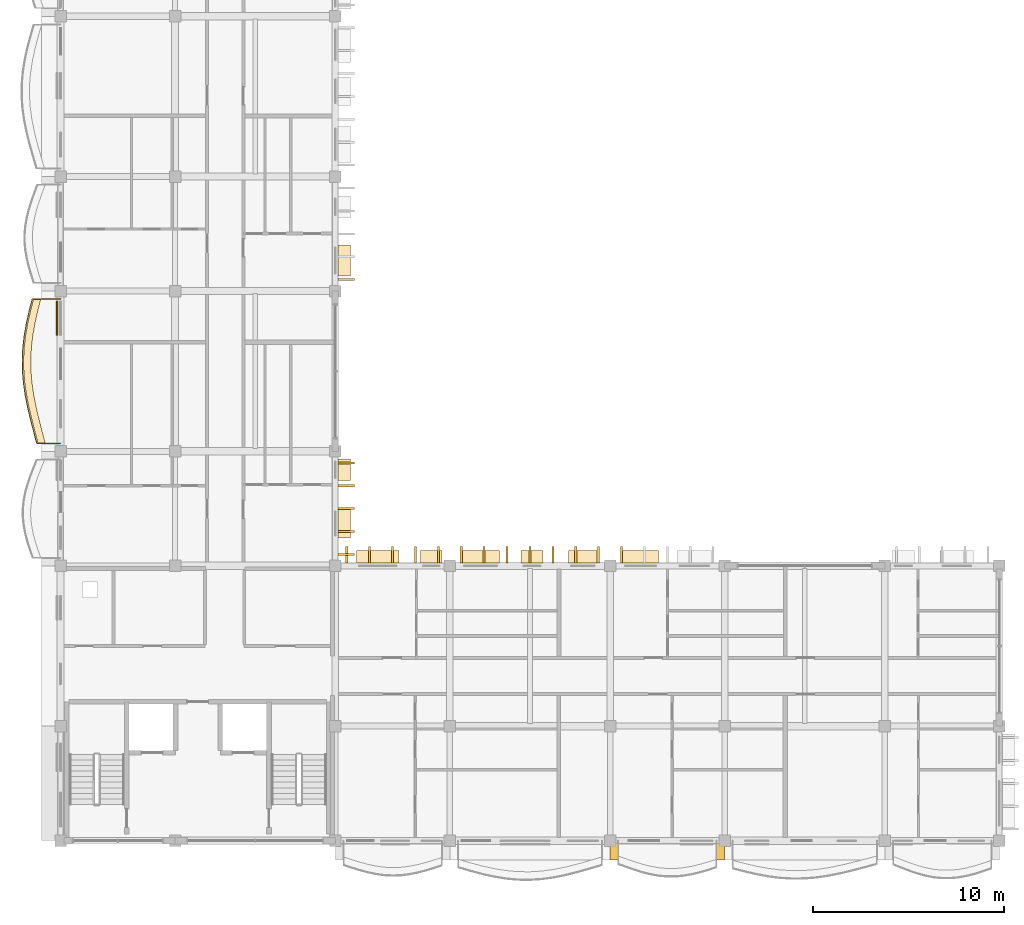
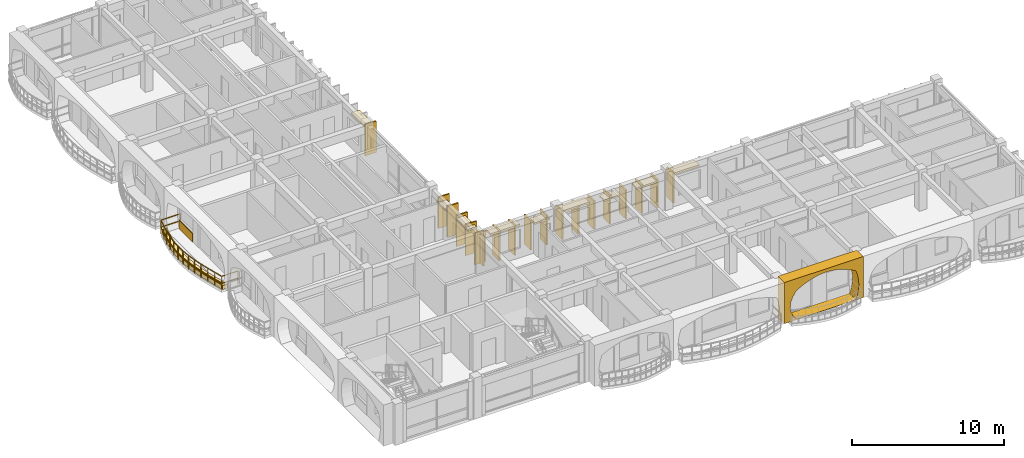
# One storey, part 53 of 79: 31 coverings, 1 railing.
"""IFC4 building model written with IfcOpenShell, lengths in metres."""

from ifc_helpers import new_model, si_unit, direction, frame, origin, origin_2d, place, context, subcontext, project, spatial, polyline, rectangle, outline, extrude, material, layer, layer_set, type_object, element, save


model = new_model("IFC4")

# Units and contexts
model_context = context("Model", 3, precision=1e-05, world=origin(), true_north=direction((0.0, 1.0)))
body_context = subcontext(model_context, "Body", "Model", "MODEL_VIEW")
ifc_project = project(units=[si_unit("LENGTHUNIT", "METRE"), si_unit("AREAUNIT", "SQUARE_METRE"), si_unit("VOLUMEUNIT", "CUBIC_METRE"), si_unit("PLANEANGLEUNIT", "RADIAN"), si_unit("MASSUNIT", "GRAM", prefix="KILO"), si_unit("THERMODYNAMICTEMPERATUREUNIT", "KELVIN")], contexts=[model_context])

# Site, building, storey
site_placement = place(None, origin())
site = spatial("IfcSite", under=ifc_project, at=site_placement, CompositionType="ELEMENT")
building_placement = place(site_placement, origin())
building = spatial("IfcBuilding", under=site, at=building_placement, Name="Thalorik Housing Commons", CompositionType="ELEMENT")
storey_placement = place(building_placement, frame((0.0, 0.0, 11.39990234375)))
storey = spatial("IfcBuildingStorey", under=building, at=storey_placement, Name="L03", CompositionType="ELEMENT", Elevation=11.39990234375)

# Coverings
ifc_material_1 = material(Name="Precast concrete C40/50", Category="concrete")
ifc_layer_1 = layer(ifc_material_1, 0.85009765625, Name="Precast concrete C40/50", Category="concrete")
ifc_layer_set_1 = layer_set([ifc_layer_1], Name="Precast concrete C40/50")
covering_type_1 = type_object("IfcCoveringType", Name="ARC-CLD-CUSH-850", PredefinedType="CLADDING", material=ifc_layer_set_1)
covering_1_placement = place(storey_placement, frame((40.199951171875, 7.822509765625, 0.0), z_axis=(0.0, 0.0, 1.0), x_axis=(1.0, 0.0, 0.0)))
element("IfcCovering", 1, at=covering_1_placement, inside=storey, type_object=covering_type_1, Name="L03 White Precast Curved Cushion Bay Frame 3730", PredefinedType="CLADDING", context=body_context, shape_type="SweptSolid", body=[
    extrude(outline(polyline([(-3.0, 0.0), (3.0, 0.0), (3.0, 3.300048828125), (-3.0, 3.300048828125), (-3.0, 0.0)]), holes=[polyline([(2.43994140625, 0.02490234375), (2.55810546875, 0.410888671875), (2.629150390625, 0.796630859375), (2.65283203125, 1.1826171875), (2.629150390625, 1.568359375), (2.55810546875, 1.9541015625), (2.43994140625, 2.340087890625), (2.063232421875, 2.552978515625), (1.686767578125, 2.720458984375), (1.31005859375, 2.85595703125), (0.933349609375, 2.956787109375), (0.556640625, 3.01904296875), (0.179931640625, 3.0400390625), (-0.19677734375, 3.01904296875), (-0.5732421875, 2.956787109375), (-0.949951171875, 2.85595703125), (-1.32666015625, 2.720458984375), (-1.703369140625, 2.552978515625), (-2.080078125, 2.340087890625), (-2.341064453125, 1.9541015625), (-2.497802734375, 1.568359375), (-2.550048828125, 1.1826171875), (-2.497802734375, 0.796630859375), (-2.341064453125, 0.410888671875), (-2.080078125, 0.02490234375), (2.43994140625, 0.02490234375)])]), frame((0.0, 0.425048828125, 0.0), z_axis=(0.0, -1.0, 0.0), x_axis=(1.0, 0.0, 0.0)), (0.0, 0.0, 1.0), 0.85009765625),
])
ifc_layer_2 = layer(ifc_material_1, 0.85009765625, Name="Precast concrete C40/50", Category="concrete")
ifc_layer_set_2 = layer_set([ifc_layer_2], Name="Precast concrete C40/50")
covering_type_2 = type_object("IfcCoveringType", Name="ARC-CLD-FIN-850", PredefinedType="CLADDING", material=ifc_layer_set_2)
for number, where, z_axis, x_axis, name in (
    (2, (23.37744140625, 23.39990234375, 0.0400390625), (0.0, 0.0, 1.0), (0.0, 1.0, 0.0), "L03 Courtyard Precast Vertical Brise-Soleil Fin 3671"),
    (3, (23.37744140625, 24.60009765625, 0.0400390625), (0.0, 0.0, 1.0), (0.0, 1.0, 0.0), "L03 Courtyard Precast Vertical Brise-Soleil Fin 3672"),
    (4, (23.37744140625, 25.800048828125, 0.0400390625), (0.0, 0.0, 1.0), (0.0, 1.0, 0.0), "L03 Courtyard Precast Vertical Brise-Soleil Fin 3673"),
    (5, (23.37744140625, 27.0, 0.0400390625), (0.0, 0.0, 1.0), (0.0, 1.0, 0.0), "L03 Courtyard Precast Vertical Brise-Soleil Fin 3674"),
    (6, (23.37744140625, 28.199951171875, 0.0400390625), (0.0, 0.0, 1.0), (0.0, 1.0, 0.0), "L03 Courtyard Precast Vertical Brise-Soleil Fin 3675"),
    (7, (23.37744140625, 37.800048828125, 0.0400390625), (0.0, 0.0, 1.0), (0.0, 1.0, 0.0), "L03 Courtyard Precast Vertical Brise-Soleil Fin 3678"),
):
    element("IfcCovering", number, at=place(storey_placement, frame(where, z_axis=z_axis, x_axis=x_axis)), inside=storey, type_object=covering_type_2, Name=name, PredefinedType="CLADDING", context=body_context, shape_type="SweptSolid", body=[
        extrude(rectangle(XDim=0.110107421875, YDim=0.85009765625, at=origin_2d()), origin(), (0.0, 0.0, 1.0), 2.4951171875),
    ])
covering_2_placement = place(storey_placement, frame((37.800048828125, 23.37744140625, 0.0400390625), z_axis=(0.0, 0.0, 1.0), x_axis=(-1.0, 0.0, 0.0)))
element("IfcCovering", 8, at=covering_2_placement, inside=storey, type_object=covering_type_2, Name="L03 Courtyard Precast Vertical Brise-Soleil Fin 3754", PredefinedType="CLADDING", context=body_context, shape_type="SweptSolid", body=[
    extrude(rectangle(XDim=0.110107421875, YDim=0.85009765625, at=origin_2d()), origin(), (0.0, 0.0, 1.0), 2.39501953125),
])
for number, where, z_axis, x_axis, name in (
    (9, (36.60009765625, 23.37744140625, 0.0400390625), (0.0, 0.0, 1.0), (-1.0, 0.0, 0.0), "L03 Courtyard Precast Vertical Brise-Soleil Fin 3757"),
    (10, (35.39990234375, 23.37744140625, 0.0400390625), (0.0, 0.0, 1.0), (-1.0, 0.0, 0.0), "L03 Courtyard Precast Vertical Brise-Soleil Fin 3758"),
    (11, (34.199951171875, 23.37744140625, 0.0400390625), (0.0, 0.0, 1.0), (-1.0, 0.0, 0.0), "L03 Courtyard Precast Vertical Brise-Soleil Fin 3759"),
    (12, (33.0, 23.37744140625, 0.0400390625), (0.0, 0.0, 1.0), (-1.0, 0.0, 0.0), "L03 Courtyard Precast Vertical Brise-Soleil Fin 3760"),
    (13, (31.800048828125, 23.37744140625, 0.0400390625), (0.0, 0.0, 1.0), (-1.0, 0.0, 0.0), "L03 Courtyard Precast Vertical Brise-Soleil Fin 3761"),
    (14, (30.60009765625, 23.37744140625, 0.0400390625), (0.0, 0.0, 1.0), (-1.0, 0.0, 0.0), "L03 Courtyard Precast Vertical Brise-Soleil Fin 3762"),
    (15, (29.39990234375, 23.37744140625, 0.0400390625), (0.0, 0.0, 1.0), (-1.0, 0.0, 0.0), "L03 Courtyard Precast Vertical Brise-Soleil Fin 3763"),
):
    element("IfcCovering", number, at=place(storey_placement, frame(where, z_axis=z_axis, x_axis=x_axis)), inside=storey, type_object=covering_type_2, Name=name, PredefinedType="CLADDING", context=body_context, shape_type="SweptSolid", body=[
        extrude(rectangle(XDim=0.110107421875, YDim=0.85009765625, at=origin_2d()), origin(), (0.0, 0.0, 1.0), 2.294921875),
    ])
for number, where, z_axis, x_axis, name in (
    (16, (28.199951171875, 23.37744140625, 0.0400390625), (0.0, 0.0, 1.0), (-1.0, 0.0, 0.0), "L03 Courtyard Precast Vertical Brise-Soleil Fin 3767"),
    (17, (27.0, 23.37744140625, 0.0400390625), (0.0, 0.0, 1.0), (-1.0, 0.0, 0.0), "L03 Courtyard Precast Vertical Brise-Soleil Fin 3768"),
    (18, (25.800048828125, 23.37744140625, 0.0400390625), (0.0, 0.0, 1.0), (-1.0, 0.0, 0.0), "L03 Courtyard Precast Vertical Brise-Soleil Fin 3769"),
    (19, (24.60009765625, 23.37744140625, 0.0400390625), (0.0, 0.0, 1.0), (-1.0, 0.0, 0.0), "L03 Courtyard Precast Vertical Brise-Soleil Fin 3770"),
    (20, (23.39990234375, 23.37744140625, 0.0400390625), (0.0, 0.0, 1.0), (-1.0, 0.0, 0.0), "L03 Courtyard Precast Vertical Brise-Soleil Fin 3771"),
):
    element("IfcCovering", number, at=place(storey_placement, frame(where, z_axis=z_axis, x_axis=x_axis)), inside=storey, type_object=covering_type_2, Name=name, PredefinedType="CLADDING", context=body_context, shape_type="SweptSolid", body=[
        extrude(rectangle(XDim=0.110107421875, YDim=0.85009765625, at=origin_2d()), origin(), (0.0, 0.0, 1.0), 2.39501953125),
    ])
ifc_layer_3 = layer(ifc_material_1, 0.64990234375, Name="Precast concrete C40/50", Category="concrete")
ifc_layer_set_3 = layer_set([ifc_layer_3], Name="Precast concrete C40/50")
covering_type_3 = type_object("IfcCoveringType", Name="ARC-CLD-HOOD-650", PredefinedType="CLADDING", material=ifc_layer_set_3)
covering_3_placement = place(storey_placement, frame((23.277587890625, 25.021484375, 2.18994140625), z_axis=(0.0, 0.0, 1.0), x_axis=(0.0, 1.0, 0.0)))
element("IfcCovering", 21, at=covering_3_placement, inside=storey, type_object=covering_type_3, Name="L03 Courtyard Precast Window Sun-Hood 3676", PredefinedType="CLADDING", context=body_context, shape_type="SweptSolid", body=[
    extrude(rectangle(XDim=1.5400390625, YDim=0.64990234375, at=origin_2d()), origin(), (0.0, 0.0, 1.0), 0.139892578125),
])
covering_4_placement = place(storey_placement, frame((23.277587890625, 27.831298828125, 1.990234375), z_axis=(0.0, 0.0, 1.0), x_axis=(0.0, 1.0, 0.0)))
element("IfcCovering", 22, at=covering_4_placement, inside=storey, type_object=covering_type_3, Name="L03 Courtyard Precast Window Sun-Hood 3677", PredefinedType="CLADDING", context=body_context, shape_type="SweptSolid", body=[
    extrude(rectangle(XDim=1.139892578125, YDim=0.64990234375, at=origin_2d()), origin(), (0.0, 0.0, 1.0), 0.139892578125),
])
covering_5_placement = place(storey_placement, frame((23.277587890625, 38.801513671875, 2.240234375), z_axis=(0.0, 0.0, 1.0), x_axis=(0.0, 1.0, 0.0)))
element("IfcCovering", 23, at=covering_5_placement, inside=storey, type_object=covering_type_3, Name="L03 Courtyard Precast Window Sun-Hood 3683", PredefinedType="CLADDING", context=body_context, shape_type="SweptSolid", body=[
    extrude(rectangle(XDim=1.639892578125, YDim=0.64990234375, at=origin_2d()), origin(), (0.0, 0.0, 1.0), 0.139892578125),
])
covering_6_placement = place(storey_placement, frame((38.801513671875, 23.277587890625, 2.2900390625), z_axis=(0.0, 0.0, 1.0), x_axis=(-1.0, 0.0, 0.0)))
element("IfcCovering", 24, at=covering_6_placement, inside=storey, type_object=covering_type_3, Name="L03 Courtyard Precast Window Sun-Hood 3756", PredefinedType="CLADDING", context=body_context, shape_type="SweptSolid", body=[
    extrude(rectangle(XDim=1.889892578125, YDim=0.64990234375, at=origin_2d()), origin(), (0.0, 0.0, 1.0), 0.139892578125),
])
covering_7_placement = place(storey_placement, frame((35.764892578125, 23.277587890625, 2.09033203125), z_axis=(0.0, 0.0, 1.0), x_axis=(-1.0, 0.0, 0.0)))
element("IfcCovering", 25, at=covering_7_placement, inside=storey, type_object=covering_type_3, Name="L03 Courtyard Precast Window Sun-Hood 3764", PredefinedType="CLADDING", context=body_context, shape_type="SweptSolid", body=[
    extrude(rectangle(XDim=1.489990234375, YDim=0.64990234375, at=origin_2d()), origin(), (0.0, 0.0, 1.0), 0.139892578125),
])
covering_8_placement = place(storey_placement, frame((33.1025390625, 23.277587890625, 1.990234375), z_axis=(0.0, 0.0, 1.0), x_axis=(-1.0, 0.0, 0.0)))
element("IfcCovering", 26, at=covering_8_placement, inside=storey, type_object=covering_type_3, Name="L03 Courtyard Precast Window Sun-Hood 3765", PredefinedType="CLADDING", context=body_context, shape_type="SweptSolid", body=[
    extrude(rectangle(XDim=1.139892578125, YDim=0.64990234375, at=origin_2d()), origin(), (0.0, 0.0, 1.0), 0.139892578125),
])
covering_9_placement = place(storey_placement, frame((30.407470703125, 23.277587890625, 2.22509765625), z_axis=(0.0, 0.0, 1.0), x_axis=(-1.0, 0.0, 0.0)))
element("IfcCovering", 27, at=covering_9_placement, inside=storey, type_object=covering_type_3, Name="L03 Courtyard Precast Window Sun-Hood 3766", PredefinedType="CLADDING", context=body_context, shape_type="SweptSolid", body=[
    extrude(rectangle(XDim=1.989990234375, YDim=0.64990234375, at=origin_2d()), origin(), (0.0, 0.0, 1.0), 0.139892578125),
])
covering_10_placement = place(storey_placement, frame((27.831298828125, 23.277587890625, 1.990234375), z_axis=(0.0, 0.0, 1.0), x_axis=(-1.0, 0.0, 0.0)))
element("IfcCovering", 28, at=covering_10_placement, inside=storey, type_object=covering_type_3, Name="L03 Courtyard Precast Window Sun-Hood 3772", PredefinedType="CLADDING", context=body_context, shape_type="SweptSolid", body=[
    extrude(rectangle(XDim=1.139892578125, YDim=0.64990234375, at=origin_2d()), origin(), (0.0, 0.0, 1.0), 0.139892578125),
])
covering_11_placement = place(storey_placement, frame((25.021484375, 23.277587890625, 2.2900390625), z_axis=(0.0, 0.0, 1.0), x_axis=(-1.0, 0.0, 0.0)))
element("IfcCovering", 29, at=covering_11_placement, inside=storey, type_object=covering_type_3, Name="L03 Courtyard Precast Window Sun-Hood 3773", PredefinedType="CLADDING", context=body_context, shape_type="SweptSolid", body=[
    extrude(rectangle(XDim=2.219970703125, YDim=0.64990234375, at=origin_2d()), origin(), (0.0, 0.0, 1.0), 0.139892578125),
])
ifc_material_2 = material(Name="Terracotta red mineral fibre-cement panel", Category="masonry")
ifc_layer_4 = layer(ifc_material_2, 0.054931640625, Name="Terracotta red mineral fibre-cement panel", Category="masonry")
ifc_layer_set_4 = layer_set([ifc_layer_4], Name="Terracotta red mineral fibre-cement panel")
covering_type_4 = type_object("IfcCoveringType", Name="ARC-CLD-RED-55", PredefinedType="CLADDING", material=ifc_layer_set_4)
covering_12_placement = place(storey_placement, frame((8.215087890625, 35.764892578125, 0.05029296875), z_axis=(0.0, 0.0, 1.0), x_axis=(0.0, -1.0, 0.0)))
element("IfcCovering", 30, at=covering_12_placement, inside=storey, type_object=covering_type_4, Name="L03 De Stijl Recessed Window Spandrel 3719", PredefinedType="CLADDING", context=body_context, shape_type="SweptSolid", body=[
    extrude(rectangle(XDim=1.780029296875, YDim=0.054931640625, at=origin_2d()), origin(), (0.0, 0.0, 1.0), 0.699951171875),
])
ifc_material_3 = material(Name="Planted vegetated substrate and terracotta trough", Category="masonry")
ifc_layer_5 = layer(ifc_material_3, 0.340087890625, Name="Planted vegetated substrate and terracotta trough", Category="masonry")
ifc_layer_set_5 = layer_set([ifc_layer_5], Name="Planted vegetated substrate and terracotta trough")
covering_type_5 = type_object("IfcCoveringType", Name="ARC-COV-PLANTER", PredefinedType="USERDEFINED", material=ifc_layer_set_5)
covering_13_placement = place(storey_placement, origin())
element("IfcCovering", 31, at=covering_13_placement, inside=storey, type_object=covering_type_5, Name="L03 Balcony Slab-Edge Planted Trough 5578", ObjectType="PLANTER", PredefinedType="USERDEFINED", context=body_context, shape_type="SweptSolid", body=[
    extrude(outline(polyline([(6.984619140625, 36.780029296875), (6.823974609375, 36.14990234375), (6.682861328125, 35.52001953125), (6.571044921875, 34.889892578125), (6.49609375, 34.260009765625), (6.462890625, 33.6298828125), (6.473388671875, 33.0), (6.52685546875, 32.3701171875), (6.619384765625, 31.739990234375), (6.744384765625, 31.110107421875), (6.89306640625, 30.47998046875), (7.055419921875, 29.85009765625), (7.2197265625, 29.219970703125), (7.599853515625, 29.219970703125), (7.435302734375, 29.85009765625), (7.273193359375, 30.47998046875), (7.124267578125, 31.110107421875), (6.99951171875, 31.739990234375), (6.906982421875, 32.3701171875), (6.853515625, 33.0), (6.843017578125, 33.6298828125), (6.876220703125, 34.260009765625), (6.951171875, 34.889892578125), (7.062744140625, 35.52001953125), (7.203857421875, 36.14990234375), (7.364501953125, 36.780029296875), (6.984619140625, 36.780029296875)])), origin(), (0.0, 0.0, 1.0), 0.340087890625),
])

# Railing
ifc_material_4 = material(Name="Steel S355", Category="steel")
railing_type = type_object("IfcRailingType", Name="ARC-RL-BAL-112", PredefinedType="BALUSTRADE", material=ifc_material_4)
railing_placement = place(storey_placement, frame((8.39990234375, 36.780029296875, 0.0)))
element("IfcRailing", 32, at=railing_placement, inside=storey, type_object=railing_type, Name="L03 Cushion Balcony Guardrail 262", PredefinedType="BALUSTRADE", context=body_context, shape_type="SweptSolid", body=[
    extrude(rectangle(XDim=0.050048828125, YDim=0.050048828125, at=origin_2d()), frame((0.0, 0.0, 1.09521484375), z_axis=(-1.0, 0.0, 0.0), x_axis=(0.0, -1.0, 0.0)), (0.0, 0.0, 1.0), 1.4853515625),
    extrude(rectangle(XDim=0.050048828125, YDim=0.050048828125, at=origin_2d()), frame((0.0, 0.0, 0.53515625), z_axis=(-1.0, 0.0, 0.0), x_axis=(0.0, -1.0, 0.0)), (0.0, 0.0, 1.0), 1.4853515625),
    extrude(rectangle(XDim=0.050048828125, YDim=0.050048828125, at=origin_2d()), frame((-1.4853515625, 0.0, 1.09521484375), z_axis=(-0.247038266917, -0.969005724791, 0.0), x_axis=(0.969005724791, -0.247038266917, 0.0)), (0.0, 0.0, 1.0), 0.650390625),
    extrude(rectangle(XDim=0.050048828125, YDim=0.050048828125, at=origin_2d()), frame((-1.4853515625, 0.0, 0.53515625), z_axis=(-0.247038266917, -0.969005724791, 0.0), x_axis=(0.969005724791, -0.247038266917, 0.0)), (0.0, 0.0, 1.0), 0.650390625),
    extrude(rectangle(XDim=0.050048828125, YDim=0.050048828125, at=origin_2d()), frame((-1.64599609375, -0.630126953125, 1.09521484375), z_axis=(-0.218612109708, -0.975811839183, 0.0), x_axis=(0.975811839183, -0.218612109708, 0.0)), (0.0, 0.0, 1.0), 0.6455078125),
    extrude(rectangle(XDim=0.050048828125, YDim=0.050048828125, at=origin_2d()), frame((-1.64599609375, -0.630126953125, 0.53515625), z_axis=(-0.218612109708, -0.975811839183, 0.0), x_axis=(0.975811839183, -0.218612109708, 0.0)), (0.0, 0.0, 1.0), 0.6455078125),
    extrude(rectangle(XDim=0.050048828125, YDim=0.050048828125, at=origin_2d()), frame((-1.787109375, -1.260009765625, 1.09521484375), z_axis=(-0.174351172623, -0.984683537287, 0.0), x_axis=(0.984683537287, -0.174351172623, 0.0)), (0.0, 0.0, 1.0), 0.639892578125),
    extrude(rectangle(XDim=0.050048828125, YDim=0.050048828125, at=origin_2d()), frame((-1.787109375, -1.260009765625, 0.53515625), z_axis=(-0.174351172623, -0.984683537287, 0.0), x_axis=(0.984683537287, -0.174351172623, 0.0)), (0.0, 0.0, 1.0), 0.639892578125),
    extrude(rectangle(XDim=0.050048828125, YDim=0.050048828125, at=origin_2d()), frame((-1.898681640625, -1.89013671875, 1.09521484375), z_axis=(-0.118538157109, -0.992949497864, 0.0), x_axis=(0.992949497864, -0.118538157109, 0.0)), (0.0, 0.0, 1.0), 0.63427734375),
    extrude(rectangle(XDim=0.050048828125, YDim=0.050048828125, at=origin_2d()), frame((-1.898681640625, -1.89013671875, 0.53515625), z_axis=(-0.118538157109, -0.992949497864, 0.0), x_axis=(0.992949497864, -0.118538157109, 0.0)), (0.0, 0.0, 1.0), 0.63427734375),
    extrude(rectangle(XDim=0.050048828125, YDim=0.050048828125, at=origin_2d()), frame((-1.973876953125, -2.52001953125, 1.09521484375), z_axis=(-0.052619755312, -0.998614621038, 0.0), x_axis=(0.998614621038, -0.052619755312, 0.0)), (0.0, 0.0, 1.0), 0.631103515625),
    extrude(rectangle(XDim=0.050048828125, YDim=0.050048828125, at=origin_2d()), frame((-1.973876953125, -2.52001953125, 0.53515625), z_axis=(-0.052619755312, -0.998614621038, 0.0), x_axis=(0.998614621038, -0.052619755312, 0.0)), (0.0, 0.0, 1.0), 0.631103515625),
    extrude(rectangle(XDim=0.050048828125, YDim=0.050048828125, at=origin_2d()), frame((-2.007080078125, -3.150146484375, 1.09521484375), z_axis=(0.017051784008, -0.999854607762, 0.0), x_axis=(0.999854607762, 0.017051784008, 0.0)), (0.0, 0.0, 1.0), 0.6298828125),
    extrude(rectangle(XDim=0.050048828125, YDim=0.050048828125, at=origin_2d()), frame((-2.007080078125, -3.150146484375, 0.53515625), z_axis=(0.017051784008, -0.999854607762, 0.0), x_axis=(0.999854607762, 0.017051784008, 0.0)), (0.0, 0.0, 1.0), 0.6298828125),
    extrude(rectangle(XDim=0.050048828125, YDim=0.050048828125, at=origin_2d()), frame((-1.996337890625, -3.780029296875, 1.09521484375), z_axis=(0.084196095588, -0.99644920467, 0.0), x_axis=(0.99644920467, 0.084196095588, 0.0)), (0.0, 0.0, 1.0), 0.632080078125),
    extrude(rectangle(XDim=0.050048828125, YDim=0.050048828125, at=origin_2d()), frame((-1.996337890625, -3.780029296875, 0.53515625), z_axis=(0.084196095588, -0.99644920467, 0.0), x_axis=(0.99644920467, 0.084196095588, 0.0)), (0.0, 0.0, 1.0), 0.632080078125),
    extrude(rectangle(XDim=0.050048828125, YDim=0.050048828125, at=origin_2d()), frame((-1.943115234375, -4.409912109375, 1.09521484375), z_axis=(0.145284304764, -0.989389948801, 0.0), x_axis=(0.989389948801, 0.145284304764, 0.0)), (0.0, 0.0, 1.0), 0.636962890625),
    extrude(rectangle(XDim=0.050048828125, YDim=0.050048828125, at=origin_2d()), frame((-1.943115234375, -4.409912109375, 0.53515625), z_axis=(0.145284304764, -0.989389948801, 0.0), x_axis=(0.989389948801, 0.145284304764, 0.0)), (0.0, 0.0, 1.0), 0.636962890625),
    extrude(rectangle(XDim=0.050048828125, YDim=0.050048828125, at=origin_2d()), frame((-1.8505859375, -5.0400390625, 1.09521484375), z_axis=(0.194653674939, -0.980872033872, 0.0), x_axis=(0.980872033872, 0.194653674939, 0.0)), (0.0, 0.0, 1.0), 0.64208984375),
    extrude(rectangle(XDim=0.050048828125, YDim=0.050048828125, at=origin_2d()), frame((-1.8505859375, -5.0400390625, 0.53515625), z_axis=(0.194653674939, -0.980872033872, 0.0), x_axis=(0.980872033872, 0.194653674939, 0.0)), (0.0, 0.0, 1.0), 0.64208984375),
    extrude(rectangle(XDim=0.050048828125, YDim=0.050048828125, at=origin_2d()), frame((-1.7255859375, -5.669921875, 1.09521484375), z_axis=(0.2296488173, -0.973273559033, 0.0), x_axis=(0.973273559033, 0.2296488173, 0.0)), (0.0, 0.0, 1.0), 0.6474609375),
    extrude(rectangle(XDim=0.050048828125, YDim=0.050048828125, at=origin_2d()), frame((-1.7255859375, -5.669921875, 0.53515625), z_axis=(0.2296488173, -0.973273559033, 0.0), x_axis=(0.973273559033, 0.2296488173, 0.0)), (0.0, 0.0, 1.0), 0.6474609375),
    extrude(rectangle(XDim=0.050048828125, YDim=0.050048828125, at=origin_2d()), frame((-1.576904296875, -6.300048828125, 1.09521484375), z_axis=(0.249594222451, -0.968350517178, 0.0), x_axis=(0.968350517178, 0.249594222451, 0.0)), (0.0, 0.0, 1.0), 0.650390625),
    extrude(rectangle(XDim=0.050048828125, YDim=0.050048828125, at=origin_2d()), frame((-1.576904296875, -6.300048828125, 0.53515625), z_axis=(0.249594222451, -0.968350517178, 0.0), x_axis=(0.968350517178, 0.249594222451, 0.0)), (0.0, 0.0, 1.0), 0.650390625),
    extrude(rectangle(XDim=0.050048828125, YDim=0.050048828125, at=origin_2d()), frame((-1.41455078125, -6.929931640625, 1.09521484375), z_axis=(0.252666055778, -0.967553545938, 0.0), x_axis=(0.967553545938, 0.252666055778, 0.0)), (0.0, 0.0, 1.0), 0.6513671875),
    extrude(rectangle(XDim=0.050048828125, YDim=0.050048828125, at=origin_2d()), frame((-1.41455078125, -6.929931640625, 0.53515625), z_axis=(0.252666055778, -0.967553545938, 0.0), x_axis=(0.967553545938, 0.252666055778, 0.0)), (0.0, 0.0, 1.0), 0.6513671875),
    extrude(rectangle(XDim=0.050048828125, YDim=0.050048828125, at=origin_2d()), frame((-1.25, -7.56005859375, 1.09521484375), z_axis=(1.0, 0.0, 0.0), x_axis=(0.0, 1.0, 0.0)), (0.0, 0.0, 1.0), 1.25),
    extrude(rectangle(XDim=0.050048828125, YDim=0.050048828125, at=origin_2d()), frame((-1.25, -7.56005859375, 0.53515625), z_axis=(1.0, 0.0, 0.0), x_axis=(0.0, 1.0, 0.0)), (0.0, 0.0, 1.0), 1.25),
    extrude(rectangle(XDim=0.0419921875, YDim=0.0419921875, at=origin_2d()), origin(), (0.0, 0.0, 1.0), 1.070068359375),
    extrude(rectangle(XDim=0.0419921875, YDim=0.0419921875, at=origin_2d()), frame((-1.4853515625, 0.0, 0.0)), (0.0, 0.0, 1.0), 1.070068359375),
    extrude(rectangle(XDim=0.0419921875, YDim=0.0419921875, at=origin_2d()), frame((-1.64599609375, -0.630126953125, 0.0)), (0.0, 0.0, 1.0), 1.070068359375),
    extrude(rectangle(XDim=0.0419921875, YDim=0.0419921875, at=origin_2d()), frame((-1.787109375, -1.260009765625, 0.0)), (0.0, 0.0, 1.0), 1.070068359375),
    extrude(rectangle(XDim=0.0419921875, YDim=0.0419921875, at=origin_2d()), frame((-1.898681640625, -1.89013671875, 0.0)), (0.0, 0.0, 1.0), 1.070068359375),
    extrude(rectangle(XDim=0.0419921875, YDim=0.0419921875, at=origin_2d()), frame((-1.973876953125, -2.52001953125, 0.0)), (0.0, 0.0, 1.0), 1.070068359375),
    extrude(rectangle(XDim=0.0419921875, YDim=0.0419921875, at=origin_2d()), frame((-2.007080078125, -3.150146484375, 0.0)), (0.0, 0.0, 1.0), 1.070068359375),
    extrude(rectangle(XDim=0.0419921875, YDim=0.0419921875, at=origin_2d()), frame((-1.996337890625, -3.780029296875, 0.0)), (0.0, 0.0, 1.0), 1.070068359375),
    extrude(rectangle(XDim=0.0419921875, YDim=0.0419921875, at=origin_2d()), frame((-1.943115234375, -4.409912109375, 0.0)), (0.0, 0.0, 1.0), 1.070068359375),
    extrude(rectangle(XDim=0.0419921875, YDim=0.0419921875, at=origin_2d()), frame((-1.8505859375, -5.0400390625, 0.0)), (0.0, 0.0, 1.0), 1.070068359375),
    extrude(rectangle(XDim=0.0419921875, YDim=0.0419921875, at=origin_2d()), frame((-1.7255859375, -5.669921875, 0.0)), (0.0, 0.0, 1.0), 1.070068359375),
    extrude(rectangle(XDim=0.0419921875, YDim=0.0419921875, at=origin_2d()), frame((-1.576904296875, -6.300048828125, 0.0)), (0.0, 0.0, 1.0), 1.070068359375),
    extrude(rectangle(XDim=0.0419921875, YDim=0.0419921875, at=origin_2d()), frame((-1.41455078125, -6.929931640625, 0.0)), (0.0, 0.0, 1.0), 1.070068359375),
    extrude(rectangle(XDim=0.0419921875, YDim=0.0419921875, at=origin_2d()), frame((-1.25, -7.56005859375, 0.0)), (0.0, 0.0, 1.0), 1.070068359375),
    extrude(rectangle(XDim=0.0419921875, YDim=0.0419921875, at=origin_2d()), frame((0.0, -7.56005859375, 0.0)), (0.0, 0.0, 1.0), 1.070068359375),
])

save(model, "model.ifc")
